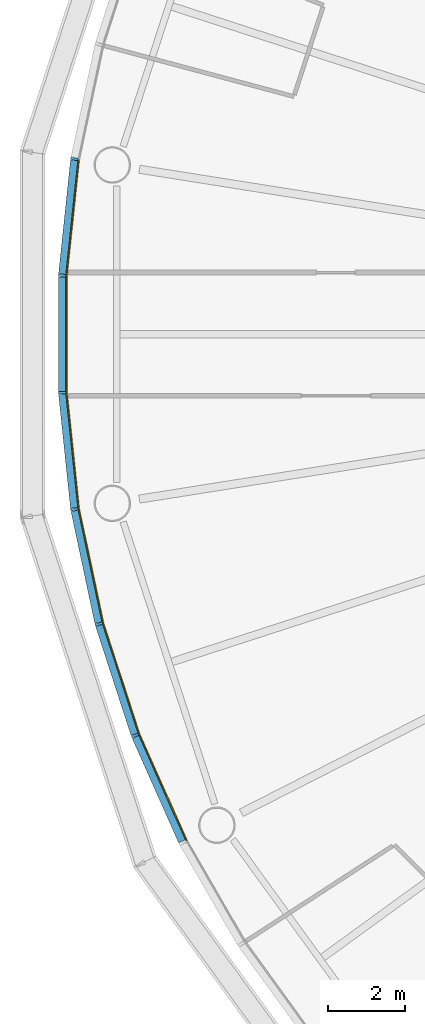
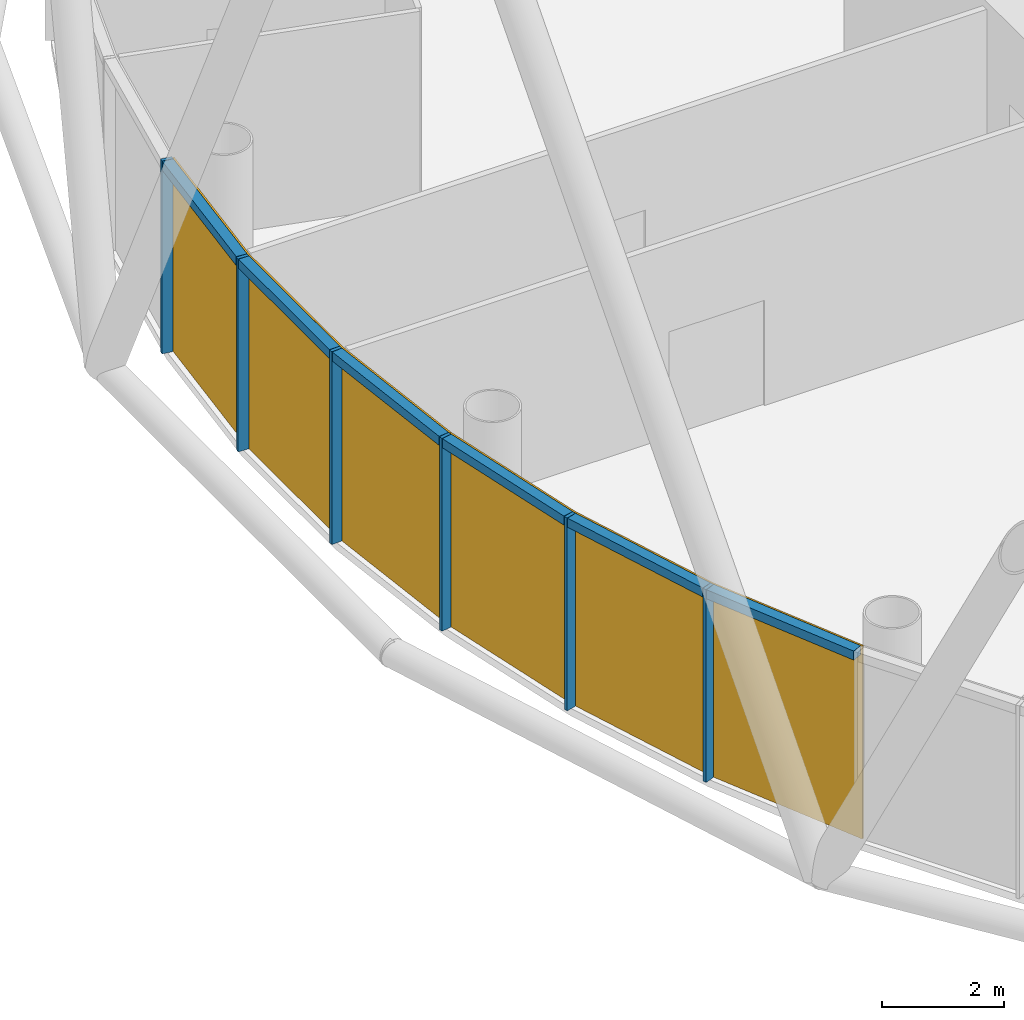
# One storey, part 8 of 13: 12 members, 2 curtain walls.
"""IFC4 building model written with IfcOpenShell, lengths in metres."""

from ifc_helpers import new_model, si_unit, direction, frame, origin, origin_2d, place, context, subcontext, project, spatial, polyline, rectangle, outline, extrude, material, layer, layer_set, material_profile, profile_set, type_object, element, aggregate, save


model = new_model("IFC4")

# Units and contexts
model_context = context("Model", 3, precision=1e-05, world=origin(), true_north=direction((0.0, 1.0)))
body_context = subcontext(model_context, "Body", "Model", "MODEL_VIEW")
ifc_project = project(units=[si_unit("LENGTHUNIT", "METRE"), si_unit("AREAUNIT", "SQUARE_METRE"), si_unit("VOLUMEUNIT", "CUBIC_METRE"), si_unit("PLANEANGLEUNIT", "RADIAN"), si_unit("MASSUNIT", "GRAM", prefix="KILO")], contexts=[model_context])

# Member
ifc_material_1 = material(Name="Anodised aluminium", Category="aluminium")
ifc_material_profile_1 = material_profile(ifc_material_1, rectangle(XDim=0.06494140625, YDim=0.195068359375, at=origin_2d()), Name="Mullion 65 x 195 mm anodised aluminium")
ifc_profile_set_1 = profile_set([ifc_material_profile_1], Name="Anodised aluminium")
member_type_1 = type_object("IfcMemberType", Name="Mullion 65 x 195 mm anodised aluminium", PredefinedType="MULLION", material=ifc_profile_set_1)
site_placement = place(None, origin())
building_placement = place(site_placement, origin())
storey_placement = place(building_placement, frame((0.0, 0.0, 274.0)))
member_1_placement = place(storey_placement, frame((61.2607421875, 84.5517578125, 0.0), z_axis=(0.0, 0.0, 1.0), x_axis=(-0.15643446504, -0.987688340595, 0.0)))
member_1 = element("IfcMember", 1, at=member_1_placement, type_object=member_type_1, Name="MULLION L62-27", PredefinedType="MULLION", context=body_context, shape_type="SweptSolid", body=[
    extrude(rectangle(XDim=0.06494140625, YDim=0.195068359375, at=origin_2d()), origin(), (0.0, 0.0, 1.0), 3.85009765625),
])

member_2_placement = place(storey_placement, frame((60.9423828125, 81.52294921875, 0.0), z_axis=(0.0, 0.0, 1.0), x_axis=(-0.052335956243, -0.998629534755, 0.0)))
member_2 = element("IfcMember", 2, at=member_2_placement, type_object=member_type_1, Name="MULLION L62-28", PredefinedType="MULLION", context=body_context, shape_type="SweptSolid", body=[
    extrude(rectangle(XDim=0.06494140625, YDim=0.195068359375, at=origin_2d()), origin(), (0.0, 0.0, 1.0), 3.85009765625),
])

member_3_placement = place(storey_placement, frame((60.9423828125, 78.47705078125, 0.0), z_axis=(0.0, 0.0, 1.0), x_axis=(0.052335956243, -0.998629534755, 0.0)))
member_3 = element("IfcMember", 3, at=member_3_placement, type_object=member_type_1, Name="MULLION L62-29", PredefinedType="MULLION", context=body_context, shape_type="SweptSolid", body=[
    extrude(rectangle(XDim=0.06494140625, YDim=0.195068359375, at=origin_2d()), origin(), (0.0, 0.0, 1.0), 3.85009765625),
])

member_4_placement = place(storey_placement, frame((61.2607421875, 75.4482421875, 0.0), z_axis=(0.0, 0.0, 1.0), x_axis=(0.15643446504, -0.987688340595, 0.0)))
member_4 = element("IfcMember", 4, at=member_4_placement, type_object=member_type_1, Name="MULLION L62-30", PredefinedType="MULLION", context=body_context, shape_type="SweptSolid", body=[
    extrude(rectangle(XDim=0.06494140625, YDim=0.195068359375, at=origin_2d()), origin(), (0.0, 0.0, 1.0), 3.85009765625),
])

member_5_placement = place(storey_placement, frame((61.89404296875, 72.468994140625, 0.0), z_axis=(0.0, 0.0, 1.0), x_axis=(0.258819045103, -0.965925826289, 0.0)))
member_5 = element("IfcMember", 5, at=member_5_placement, type_object=member_type_1, Name="MULLION L62-31", PredefinedType="MULLION", context=body_context, shape_type="SweptSolid", body=[
    extrude(rectangle(XDim=0.06494140625, YDim=0.195068359375, at=origin_2d()), origin(), (0.0, 0.0, 1.0), 3.85009765625),
])

member_6_placement = place(storey_placement, frame((62.835205078125, 69.572509765625, 0.0), z_axis=(0.0, 0.0, 1.0), x_axis=(0.358367949545, -0.933580426497, 0.0)))
member_6 = element("IfcMember", 6, at=member_6_placement, type_object=member_type_1, Name="MULLION L62-32", PredefinedType="MULLION", context=body_context, shape_type="SweptSolid", body=[
    extrude(rectangle(XDim=0.06494140625, YDim=0.195068359375, at=origin_2d()), origin(), (0.0, 0.0, 1.0), 3.85009765625),
])

ifc_material_2 = material(Name="Anodised aluminium", Category="aluminium")
ifc_material_profile_2 = material_profile(ifc_material_2, rectangle(XDim=0.195068359375, YDim=0.179931640625, at=origin_2d()), Name="Transom 180 x 195 mm anodised aluminium")
ifc_profile_set_2 = profile_set([ifc_material_profile_2], Name="Anodised aluminium")
member_type_2 = type_object("IfcMemberType", Name="Transom 180 x 195 mm anodised aluminium", PredefinedType="USERDEFINED", material=ifc_profile_set_2)
member_7_placement = place(storey_placement, frame((61.256591796875, 84.514404296875, 3.760009765625), z_axis=(-0.104466577987, -0.994528397827, 0.0), x_axis=(0.994528397827, -0.104466577987, 0.0)))
member_7 = element("IfcMember", 7, at=member_7_placement, type_object=member_type_2, Name="TRANSOM L62-27", ObjectType="TRANSOM", PredefinedType="USERDEFINED", context=body_context, shape_type="SweptSolid", body=[
    extrude(rectangle(XDim=0.195068359375, YDim=0.179931640625, at=origin_2d()), origin(), (0.0, 0.0, 1.0), 2.970458984375),
])

member_8_placement = place(storey_placement, frame((60.942138671875, 81.4853515625, 3.760009765625), z_axis=(0.0, -1.0, 0.0), x_axis=(1.0, 0.0, 0.0)))
member_8 = element("IfcMember", 8, at=member_8_placement, type_object=member_type_2, Name="TRANSOM L62-28", ObjectType="TRANSOM", PredefinedType="USERDEFINED", context=body_context, shape_type="SweptSolid", body=[
    extrude(rectangle(XDim=0.195068359375, YDim=0.179931640625, at=origin_2d()), origin(), (0.0, 0.0, 1.0), 2.970703125),
])

member_9_placement = place(storey_placement, frame((60.9462890625, 78.439697265625, 3.760009765625), z_axis=(0.104466577987, -0.994528397827, 0.0), x_axis=(0.994528397827, 0.104466577987, 0.0)))
member_9 = element("IfcMember", 9, at=member_9_placement, type_object=member_type_2, Name="TRANSOM L62-29", ObjectType="TRANSOM", PredefinedType="USERDEFINED", context=body_context, shape_type="SweptSolid", body=[
    extrude(rectangle(XDim=0.195068359375, YDim=0.179931640625, at=origin_2d()), origin(), (0.0, 0.0, 1.0), 2.970458984375),
])

member_10_placement = place(storey_placement, frame((61.268310546875, 75.411376953125, 3.760009765625), z_axis=(0.207940342877, -0.978141510112, 0.0), x_axis=(0.978141510112, 0.207940342877, 0.0)))
member_10 = element("IfcMember", 10, at=member_10_placement, type_object=member_type_2, Name="TRANSOM L62-30", ObjectType="TRANSOM", PredefinedType="USERDEFINED", context=body_context, shape_type="SweptSolid", body=[
    extrude(rectangle(XDim=0.195068359375, YDim=0.179931640625, at=origin_2d()), origin(), (0.0, 0.0, 1.0), 2.970458984375),
])

member_11_placement = place(storey_placement, frame((61.905517578125, 72.43310546875, 3.760009765625), z_axis=(0.309043326415, -0.951047960094, 0.0), x_axis=(0.951047960094, 0.309043326415, 0.0)))
member_11 = element("IfcMember", 11, at=member_11_placement, type_object=member_type_2, Name="TRANSOM L62-31", ObjectType="TRANSOM", PredefinedType="USERDEFINED", context=body_context, shape_type="SweptSolid", body=[
    extrude(rectangle(XDim=0.195068359375, YDim=0.179931640625, at=origin_2d()), origin(), (0.0, 0.0, 1.0), 2.970458984375),
])

member_12_placement = place(storey_placement, frame((62.850341796875, 69.5380859375, 3.760009765625), z_axis=(0.406725527369, -0.913550406593, 0.0), x_axis=(0.913550406593, 0.406725527369, 0.0)))
member_12 = element("IfcMember", 12, at=member_12_placement, type_object=member_type_2, Name="TRANSOM L62-32", ObjectType="TRANSOM", PredefinedType="USERDEFINED", context=body_context, shape_type="SweptSolid", body=[
    extrude(rectangle(XDim=0.195068359375, YDim=0.179931640625, at=origin_2d()), origin(), (0.0, 0.0, 1.0), 2.970703125),
])

# Site, building, storey
site = spatial("IfcSite", under=ifc_project, at=site_placement, CompositionType="ELEMENT")
building = spatial("IfcBuilding", under=site, at=building_placement, Name="Entoto Ring Tower", CompositionType="ELEMENT")
storey = spatial("IfcBuildingStorey", under=building, at=storey_placement, Name="L62", CompositionType="ELEMENT", Elevation=274.0)

# Curtain wall
ifc_material_3 = material(Name="Clear low-iron glass", Category="glass")
ifc_layer = layer(ifc_material_3, 0.033935546875)
ifc_layer_set = layer_set([ifc_layer], Name="Clear low-iron glass")
curtain_wall_type = type_object("IfcCurtainWallType", Name="Curtain wall system CW5 glazing 34 mm", PredefinedType="NOTDEFINED", material=ifc_layer_set)
curtain_wall_1_placement = place(storey_placement, origin())
curtain_wall_1 = element("IfcCurtainWall", 13, at=curtain_wall_1_placement, inside=storey, type_object=curtain_wall_type, Name="CW5 L62-10", PredefinedType="NOTDEFINED", context=body_context, shape_type="SweptSolid", body=[
    extrude(outline(polyline([(61.35693359375, 84.53662109375), (61.039794921875, 81.517822265625), (61.039794921875, 78.482177734375), (61.35693359375, 75.46337890625), (61.390625, 75.46875), (61.07373046875, 78.484130859375), (61.07373046875, 81.515869140625), (61.390625, 84.53125), (61.35693359375, 84.53662109375)])), origin(), (0.0, 0.0, 1.0), 3.85009765625),
])

aggregate(curtain_wall_1, [member_1, member_2, member_3, member_7, member_8, member_9])

curtain_wall_2_placement = place(storey_placement, origin())
curtain_wall_2 = element("IfcCurtainWall", 14, at=curtain_wall_2_placement, inside=storey, type_object=curtain_wall_type, Name="CW5 L62-11", PredefinedType="NOTDEFINED", context=body_context, shape_type="SweptSolid", body=[
    extrude(outline(polyline([(61.35693359375, 75.46337890625), (61.988037109375, 72.494140625), (62.92626953125, 69.607421875), (64.160888671875, 66.834228515625), (64.191162109375, 66.849853515625), (62.9580078125, 69.61962890625), (62.02099609375, 72.503173828125), (61.390625, 75.46875), (61.35693359375, 75.46337890625)])), origin(), (0.0, 0.0, 1.0), 3.85009765625),
])

aggregate(curtain_wall_2, [member_4, member_5, member_6, member_10, member_11, member_12])

save(model, "model.ifc")
